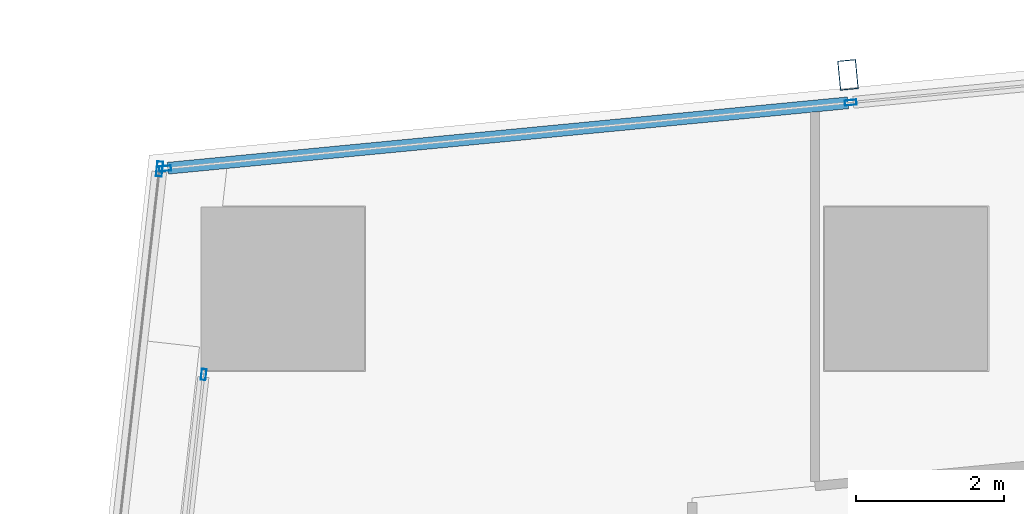
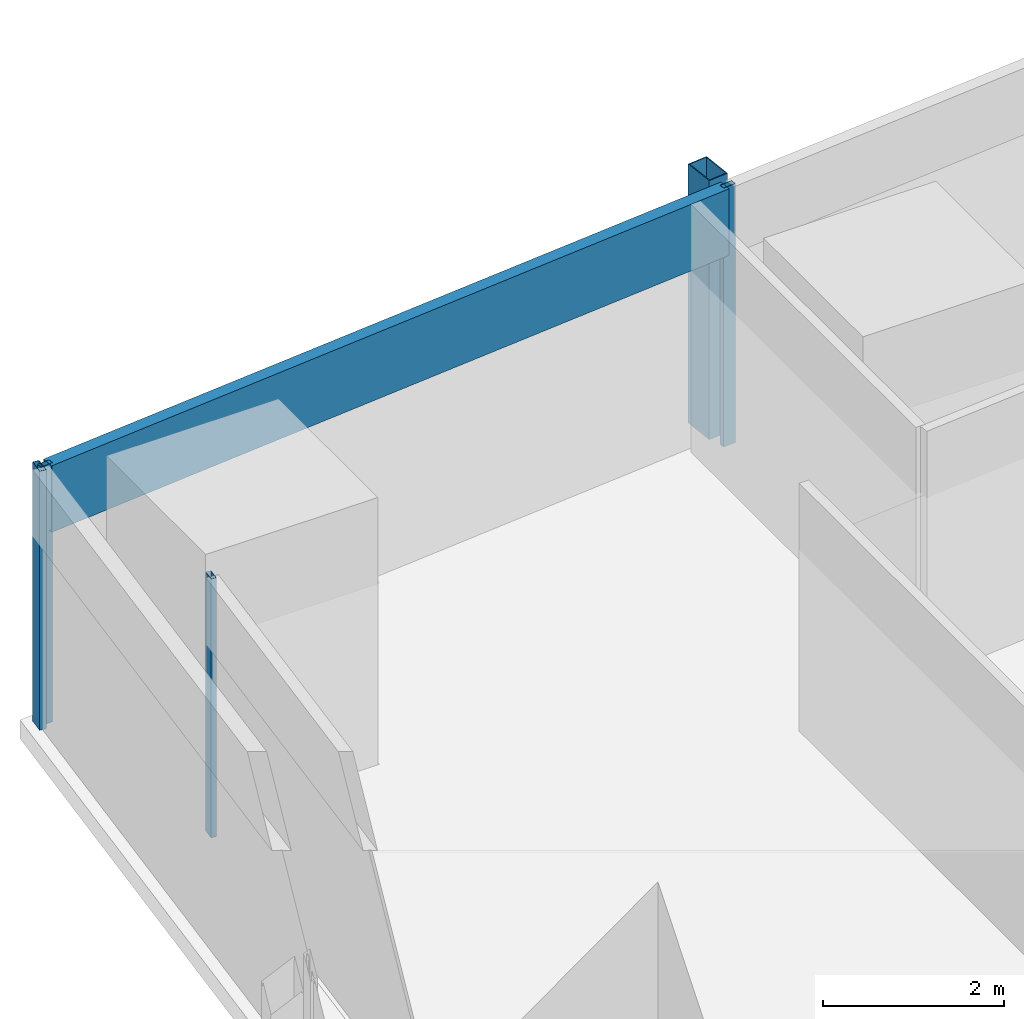
# One storey, part 16 of 44: 6 members, 3 elements without a shape of their own.
"""IFC4 building model written with IfcOpenShell, lengths in metres."""

from ifc_helpers import new_model, si_unit, direction, frame, origin, origin_2d, place, context, subcontext, project, spatial, hollow_rectangle, extrude, material, material_profile, profile_set, type_object, element, aggregate, save


model = new_model("IFC4")

# Units and contexts
model_context = context("Model", 3, precision=1e-05, world=origin(), true_north=direction((0.0, 1.0)))
body_context = subcontext(model_context, "Body", "Model", "MODEL_VIEW")
ifc_project = project(units=[si_unit("LENGTHUNIT", "METRE"), si_unit("AREAUNIT", "SQUARE_METRE"), si_unit("VOLUMEUNIT", "CUBIC_METRE"), si_unit("PLANEANGLEUNIT", "RADIAN"), si_unit("MASSUNIT", "GRAM", prefix="KILO")], contexts=[model_context])

# Site, building, storey
site_placement = place(None, origin())
site = spatial("IfcSite", under=ifc_project, at=site_placement, CompositionType="ELEMENT")
building_placement = place(site_placement, origin())
building = spatial("IfcBuilding", under=site, at=building_placement, Name="Rekha Terrace Tower", CompositionType="ELEMENT")
storey_placement = place(building_placement, frame((0.0, 0.0, 59.14990234375)))
storey = spatial("IfcBuildingStorey", under=building, at=storey_placement, Name="L14", CompositionType="ELEMENT", Elevation=59.14990234375)

# Curtain wall, member
ifc_material_1 = material(Name="Aluminium framing", Category="aluminium")
curtain_wall_type_1 = type_object("IfcCurtainWallType", Name="CW3 north unitised glazing", PredefinedType="USERDEFINED", material=ifc_material_1)
curtain_wall_1_placement = place(storey_placement, origin())
curtain_wall_1 = element("IfcCurtainWall", 1, at=curtain_wall_1_placement, inside=storey, type_object=curtain_wall_type_1, Name="CW3 unitised curtain wall", ObjectType="UNITISED CURTAIN WALL", PredefinedType="USERDEFINED")
ifc_material_2 = material(Name="Steel S355 with fluorocarbon finish", Category="steel")
ifc_material_profile_1 = material_profile(ifc_material_2, hollow_rectangle(XDim=0.25, YDim=0.39990234375, WallThickness=0.012451171875, at=origin_2d()), Name="RHS400x250x12.5")
ifc_profile_set_1 = profile_set([ifc_material_profile_1], Name="Steel S355 with fluorocarbon finish")
member_type_1 = type_object("IfcMemberType", Name="BL1 facade blade RHS 400 x 250", PredefinedType="USERDEFINED", material=ifc_profile_set_1)
member_1_placement = place(storey_placement, frame((16.01708984375, 61.681396484375, 0.0), z_axis=(0.0, 0.0, 1.0), x_axis=(-0.995409070123, -0.095711980009, 0.0)))
member_1 = element("IfcMember", 2, at=member_1_placement, type_object=member_type_1, Name="Facade blade", ObjectType="FACADE BLADE", PredefinedType="USERDEFINED", context=body_context, shape_type="SweptSolid", body=[
    extrude(hollow_rectangle(XDim=0.25, YDim=0.39990234375, WallThickness=0.012451171875, at=origin_2d()), origin(), (0.0, 0.0, 1.0), 3.5),
])

curtain_wall_type_2 = type_object("IfcCurtainWallType", Name="CW1 double skin inner glazing", PredefinedType="USERDEFINED", material=ifc_material_1)
curtain_wall_2_placement = place(storey_placement, origin())
curtain_wall_2 = element("IfcCurtainWall", 3, at=curtain_wall_2_placement, inside=storey, type_object=curtain_wall_type_2, Name="CW1 double skin inner glazing", ObjectType="DOUBLE SKIN INNER GLAZING", PredefinedType="USERDEFINED")
ifc_material_3 = material(Name="Aluminium mullion section", Category="aluminium")
ifc_material_profile_2 = material_profile(ifc_material_3, hollow_rectangle(XDim=0.06494140625, YDim=0.14990234375, WallThickness=0.00390625, at=origin_2d()), Name="AL RHS 65x150")
ifc_profile_set_2 = profile_set([ifc_material_profile_2], Name="Aluminium mullion section")
member_type_2 = type_object("IfcMemberType", Name="CW1 mullion RHS 65 x 150", PredefinedType="MULLION", material=ifc_profile_set_2)
member_2_placement = place(storey_placement, frame((7.334228515625, 57.643310546875, 0.0), z_axis=(0.0, 0.0, 1.0), x_axis=(0.993738615524, -0.111729870748, 0.0)))
member_2 = element("IfcMember", 4, at=member_2_placement, type_object=member_type_2, Name="CW1 mullion 1", PredefinedType="MULLION", context=body_context, shape_type="SweptSolid", body=[
    extrude(hollow_rectangle(XDim=0.06494140625, YDim=0.14990234375, WallThickness=0.00390625, at=origin_2d()), origin(), (0.0, 0.0, 1.0), 3.5),
])
aggregate(curtain_wall_2, [member_2])

curtain_wall_type_3 = type_object("IfcCurtainWallType", Name="CW2 double skin outer glazing", PredefinedType="USERDEFINED", material=ifc_material_1)
curtain_wall_3_placement = place(storey_placement, origin())
curtain_wall_3 = element("IfcCurtainWall", 5, at=curtain_wall_3_placement, inside=storey, type_object=curtain_wall_type_3, Name="CW2 double skin outer glazing", ObjectType="DOUBLE SKIN OUTER GLAZING", PredefinedType="USERDEFINED")
ifc_material_profile_3 = material_profile(ifc_material_3, hollow_rectangle(XDim=0.080078125, YDim=0.199951171875, WallThickness=0.00390625, at=origin_2d()), Name="AL RHS 80x200")
ifc_profile_set_3 = profile_set([ifc_material_profile_3], Name="Aluminium mullion section")
member_type_3 = type_object("IfcMemberType", Name="CW2 mullion RHS 80 x 200", PredefinedType="MULLION", material=ifc_profile_set_3)
member_3_placement = place(storey_placement, frame((6.739990234375, 60.413330078125, 0.0), z_axis=(0.0, 0.0, 1.0), x_axis=(0.99373861552, -0.111729870782, 0.0)))
member_3 = element("IfcMember", 6, at=member_3_placement, type_object=member_type_3, Name="CW2 mullion 1", PredefinedType="MULLION", context=body_context, shape_type="SweptSolid", body=[
    extrude(hollow_rectangle(XDim=0.080078125, YDim=0.199951171875, WallThickness=0.00390625, at=origin_2d()), origin(), (0.0, 0.0, 1.0), 3.5),
])
aggregate(curtain_wall_3, [member_3])

# Member
ifc_material_profile_4 = material_profile(ifc_material_3, hollow_rectangle(XDim=0.070068359375, YDim=0.159912109375, WallThickness=0.00390625, at=origin_2d()), Name="AL RHS 70x160")
ifc_profile_set_4 = profile_set([ifc_material_profile_4], Name="Aluminium mullion section")
member_type_4 = type_object("IfcMemberType", Name="CW3 mullion RHS 70 x 160", PredefinedType="MULLION", material=ifc_profile_set_4)
member_4_placement = place(storey_placement, frame((16.052978515625, 61.30810546875, 0.0), z_axis=(0.0, 0.0, 1.0), x_axis=(0.095712406625, -0.995409029102, 0.0)))
member_4 = element("IfcMember", 7, at=member_4_placement, type_object=member_type_4, Name="CW3 mullion 2", PredefinedType="MULLION", context=body_context, shape_type="SweptSolid", body=[
    extrude(hollow_rectangle(XDim=0.070068359375, YDim=0.159912109375, WallThickness=0.00390625, at=origin_2d()), origin(), (0.0, 0.0, 1.0), 3.5),
])

member_5_placement = place(storey_placement, frame((6.8154296875, 60.419677734375, 0.0), z_axis=(0.0, 0.0, 1.0), x_axis=(0.095712406625, -0.995409029102, 0.0)))
member_5 = element("IfcMember", 8, at=member_5_placement, type_object=member_type_4, Name="CW3 mullion 3", PredefinedType="MULLION", context=body_context, shape_type="SweptSolid", body=[
    extrude(hollow_rectangle(XDim=0.070068359375, YDim=0.159912109375, WallThickness=0.00390625, at=origin_2d()), origin(), (0.0, 0.0, 1.0), 3.5),
])

ifc_material_4 = material(Name="Insulated aluminium spandrel box", Category="aluminium")
ifc_material_profile_5 = material_profile(ifc_material_4, hollow_rectangle(XDim=0.159912109375, YDim=0.89990234375, WallThickness=0.0029296875, at=origin_2d()), Name="AL SPANDREL BOX 160x900")
ifc_profile_set_5 = profile_set([ifc_material_profile_5], Name="Insulated aluminium spandrel box")
member_type_5 = type_object("IfcMemberType", Name="CW3 spandrel transom 160 x 900", PredefinedType="USERDEFINED", material=ifc_profile_set_5)
member_6_placement = place(storey_placement, frame((16.018310546875, 61.3046875, 3.050048828125), z_axis=(-0.995408446287, -0.095718467713, 0.0), x_axis=(0.095718467713, -0.995408446287, 0.0)))
member_6 = element("IfcMember", 9, at=member_6_placement, type_object=member_type_5, Name="CW3 spandrel transom 2", ObjectType="TRANSOM", PredefinedType="USERDEFINED", context=body_context, shape_type="SweptSolid", body=[
    extrude(hollow_rectangle(XDim=0.159912109375, YDim=0.89990234375, WallThickness=0.0029296875, at=origin_2d()), origin(), (0.0, 0.0, 1.0), 9.210205078125),
])

aggregate(curtain_wall_1, [member_4, member_5, member_6, member_1])

save(model, "model.ifc")
